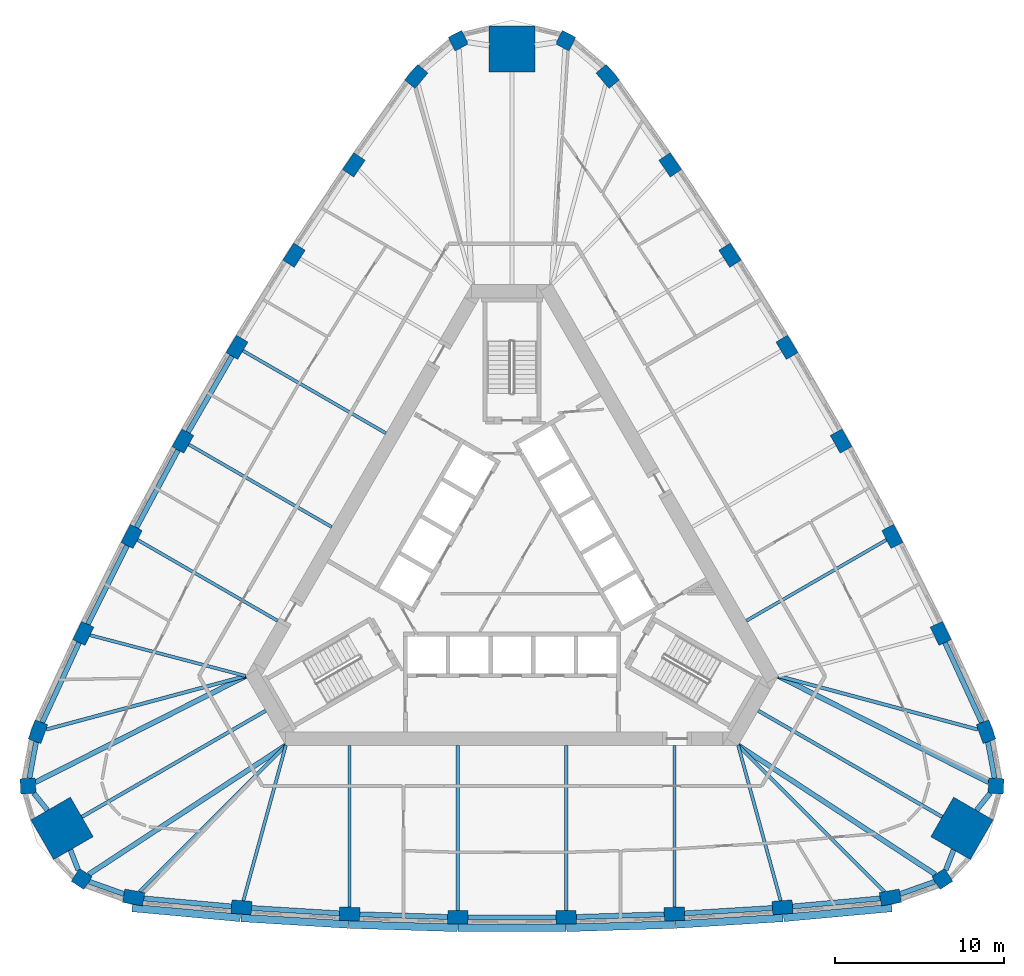
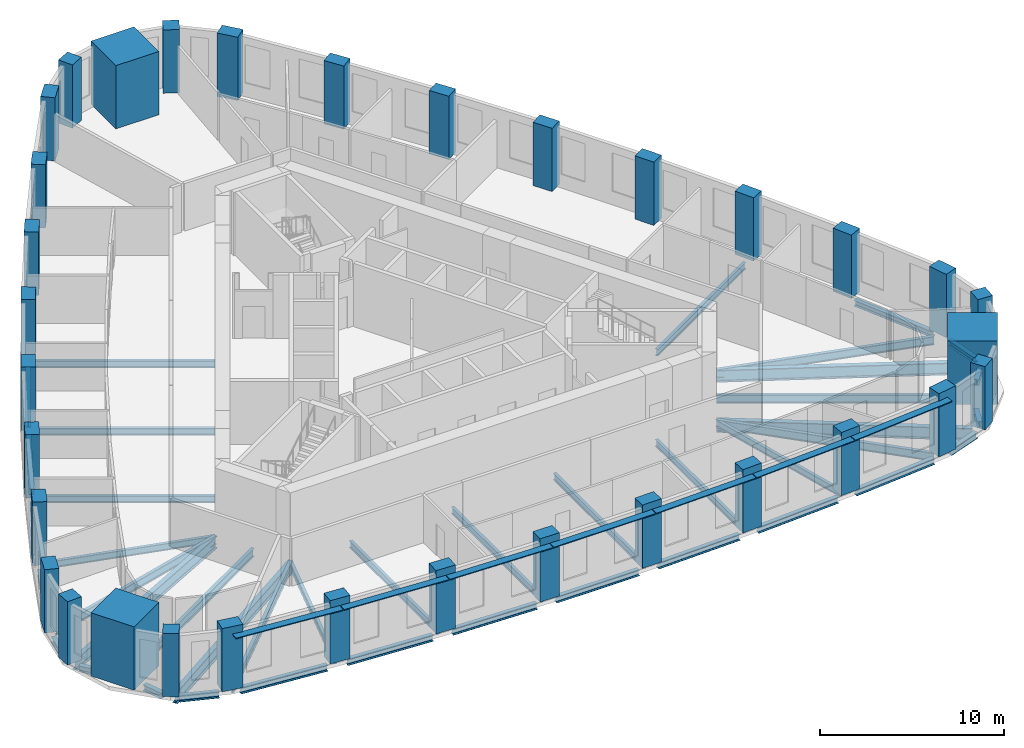
# One storey, part 1 of 11: 41 beams, 33 columns, 7 members.
"""IFC4 building model written with IfcOpenShell, lengths in metres."""

from ifc_helpers import new_model, si_unit, direction, frame, origin, origin_2d, place, context, subcontext, project, spatial, rectangle, i_section, extrude, material, material_profile, profile_set, type_object, element, save


model = new_model("IFC4")

# Units and contexts
model_context = context("Model", 3, precision=1e-05, world=origin(), true_north=direction((0.0, 1.0)))
body_context = subcontext(model_context, "Body", "Model", "MODEL_VIEW")
ifc_project = project(units=[si_unit("LENGTHUNIT", "METRE"), si_unit("AREAUNIT", "SQUARE_METRE"), si_unit("VOLUMEUNIT", "CUBIC_METRE"), si_unit("PLANEANGLEUNIT", "RADIAN"), si_unit("MASSUNIT", "GRAM", prefix="KILO")], contexts=[model_context])

# Site, building, storey
site_placement = place(None, origin())
site = spatial("IfcSite", under=ifc_project, at=site_placement, CompositionType="ELEMENT")
building_placement = place(site_placement, origin())
building = spatial("IfcBuilding", under=site, at=building_placement, Name="Mestral Congress Tower", CompositionType="ELEMENT")
storey_placement = place(building_placement, frame((0.0, 0.0, 171.0)))
storey = spatial("IfcBuildingStorey", under=building, at=storey_placement, Name="L40", CompositionType="ELEMENT", Elevation=171.0)

# Columns
ifc_material_1 = material(Name="Concrete C60/75", Category="concrete")
ifc_material_profile_1 = material_profile(ifc_material_1, rectangle(XDim=1.199951171875, YDim=0.800048828125, at=origin_2d()), Name="RC 1200x800")
ifc_profile_set_1 = profile_set([ifc_material_profile_1], Name="Concrete C60/75")
column_type_1 = type_object("IfcColumnType", Name="Column RC 1200x800 C60/75", PredefinedType="COLUMN", material=ifc_profile_set_1)
for number, where, z_axis, x_axis, name in (
    (1, (-22.357421875, -19.437255859375, 0.0), (0.0, 0.0, 1.0), (0.984571054206, -0.17498525429, 0.0), "COL-L40-C3-S00"),
    (2, (-15.984619140625, -20.0224609375, 0.0), (0.0, 0.0, 1.0), (0.997089725995, -0.076236987842, 0.0), "COL-L40-C3-S01"),
    (3, (-9.5966796875, -20.412841796875, 0.0), (0.0, 0.0, 1.0), (0.998951959915, -0.045770970953, 0.0), "COL-L40-C3-S02"),
    (4, (-3.199951171875, -20.608154296875, 0.0), (0.0, 0.0, 1.0), (0.999883524137, -0.015262311717, 0.0), "COL-L40-C3-S03"),
    (5, (3.199951171875, -20.608154296875, 0.0), (0.0, 0.0, 1.0), (0.999883524137, 0.015262311717, 0.0), "COL-L40-C3-S04"),
    (6, (9.5966796875, -20.412841796875, 0.0), (0.0, 0.0, 1.0), (0.998951959915, 0.045770970953, 0.0), "COL-L40-C3-S05"),
    (7, (15.984619140625, -20.0224609375, 0.0), (0.0, 0.0, 1.0), (0.997089725995, 0.076236987842, 0.0), "COL-L40-C3-S06"),
    (8, (22.357421875, -19.437255859375, 0.0), (0.0, 0.0, 1.0), (0.984571054206, 0.17498525429, 0.0), "COL-L40-C3-S07"),
    (9, (28.01171875, -9.6435546875, 0.0), (0.0, 0.0, 1.0), (-0.340743851601, 0.940156171918, 0.0), "COL-L40-C3-E00"),
    (10, (25.332275390625, -3.831787109375, 0.0), (0.0, 0.0, 1.0), (-0.432521694818, 0.901623526485, 0.0), "COL-L40-C3-E01"),
    (11, (22.476318359375, 1.8955078125, 0.0), (0.0, 0.0, 1.0), (-0.459837156356, 0.888003259923, 0.0), "COL-L40-C3-E02"),
    (12, (19.447265625, 7.532958984375, 0.0), (0.0, 0.0, 1.0), (-0.486724212401, 0.873555688587, 0.0), "COL-L40-C3-E03"),
    (13, (16.247314453125, 13.0751953125, 0.0), (0.0, 0.0, 1.0), (-0.513159311736, 0.85829337687, 0.0), "COL-L40-C3-E04"),
    (14, (12.8798828125, 18.517333984375, 0.0), (0.0, 0.0, 1.0), (-0.539114803559, 0.84223228897, 0.0), "COL-L40-C3-E05"),
    (15, (9.34765625, 23.854248046875, 0.0), (0.0, 0.0, 1.0), (-0.564568031177, 0.825386538643, 0.0), "COL-L40-C3-E06"),
    (16, (5.654296875, 29.080810546875, 0.0), (0.0, 0.0, 1.0), (-0.643827202606, 0.765170917629, 0.0), "COL-L40-C3-E07"),
    (17, (-5.654296875, 29.080810546875, 0.0), (0.0, 0.0, 1.0), (-0.643827202606, -0.765170917629, 0.0), "COL-L40-C3-W00"),
    (18, (-9.34765625, 23.854248046875, 0.0), (0.0, 0.0, 1.0), (-0.564568031177, -0.825386538643, 0.0), "COL-L40-C3-W01"),
    (19, (-12.8798828125, 18.517333984375, 0.0), (0.0, 0.0, 1.0), (-0.539114803559, -0.84223228897, 0.0), "COL-L40-C3-W02"),
    (20, (-16.247314453125, 13.0751953125, 0.0), (0.0, 0.0, 1.0), (-0.513159311736, -0.85829337687, 0.0), "COL-L40-C3-W03"),
    (21, (-19.447265625, 7.532958984375, 0.0), (0.0, 0.0, 1.0), (-0.486724212401, -0.873555688587, 0.0), "COL-L40-C3-W04"),
    (22, (-22.476318359375, 1.8955078125, 0.0), (0.0, 0.0, 1.0), (-0.459837156356, -0.888003259923, 0.0), "COL-L40-C3-W05"),
    (23, (-25.332275390625, -3.831787109375, 0.0), (0.0, 0.0, 1.0), (-0.432521694818, -0.901623526485, 0.0), "COL-L40-C3-W06"),
    (24, (-28.01171875, -9.6435546875, 0.0), (0.0, 0.0, 1.0), (-0.340743851601, -0.940156171918, 0.0), "COL-L40-C3-W07"),
):
    element("IfcColumn", number, at=place(storey_placement, frame(where, z_axis=z_axis, x_axis=x_axis)), inside=storey, type_object=column_type_1, Name=name, PredefinedType="COLUMN", context=body_context, shape_type="SweptSolid", body=[
        extrude(rectangle(XDim=1.199951171875, YDim=0.800048828125, at=origin_2d()), origin(), (0.0, 0.0, 1.0), 4.199951171875),
    ])
ifc_material_profile_2 = material_profile(ifc_material_1, rectangle(XDim=0.89990234375, YDim=0.89990234375, at=origin_2d()), Name="RC 900x900")
ifc_profile_set_2 = profile_set([ifc_material_profile_2], Name="Concrete C60/75")
column_type_2 = type_object("IfcColumnType", Name="Column RC 900x900 C60/75", PredefinedType="COLUMN", material=ifc_profile_set_2)
for number, where, z_axis, x_axis, name in (
    (25, (25.4296875, -18.34375, 0.0), (0.0, 0.0, 1.0), (0.838094050847, 0.545525766518, 0.0), "COL-L40-C3-SE1"),
    (26, (28.60107421875, -12.850830078125, 0.0), (0.0, 0.0, 1.0), (0.0533921468, 0.998573622053, 0.0), "COL-L40-C3-SE3"),
    (27, (3.17138671875, 31.194580078125, 0.0), (0.0, 0.0, 1.0), (-0.891486197647, 0.453047855535, 0.0), "COL-L40-C3-N1"),
    (28, (-3.17138671875, 31.194580078125, 0.0), (0.0, 0.0, 1.0), (-0.891486197647, -0.453047855535, 0.0), "COL-L40-C3-N3"),
    (29, (-28.60107421875, -12.850830078125, 0.0), (0.0, 0.0, 1.0), (0.0533921468, -0.998573622053, 0.0), "COL-L40-C3-SW1"),
    (30, (-25.4296875, -18.34375, 0.0), (0.0, 0.0, 1.0), (0.838094050847, -0.545525766518, 0.0), "COL-L40-C3-SW3"),
):
    element("IfcColumn", number, at=place(storey_placement, frame(where, z_axis=z_axis, x_axis=x_axis)), inside=storey, type_object=column_type_2, Name=name, PredefinedType="COLUMN", context=body_context, shape_type="SweptSolid", body=[
        extrude(rectangle(XDim=0.89990234375, YDim=0.89990234375, at=origin_2d()), origin(), (0.0, 0.0, 1.0), 4.199951171875),
    ])
ifc_material_2 = material(Name="Concrete C70/85", Category="concrete")
ifc_material_profile_3 = material_profile(ifc_material_2, rectangle(XDim=2.699951171875, YDim=2.699951171875, at=origin_2d()), Name="RC 2700x2700")
ifc_profile_set_3 = profile_set([ifc_material_profile_3], Name="Concrete C70/85")
column_type_3 = type_object("IfcColumnType", Name="Mega column RC 2700x2700 C70/85", PredefinedType="COLUMN", material=ifc_profile_set_3)
for number, where, z_axis, x_axis, name in (
    (31, (26.590576171875, -15.35205078125, 0.0), (0.0, 0.0, 1.0), (0.866025403784, -0.5, 0.0), "COL-L40-PY3-SE"),
    (32, (0.0, 30.7041015625, 0.0), (0.0, 0.0, 1.0), (0.0, 1.0, 0.0), "COL-L40-PY3-N"),
    (33, (-26.590576171875, -15.35205078125, 0.0), (0.0, 0.0, 1.0), (-0.866025403784, -0.5, 0.0), "COL-L40-PY3-SW"),
):
    element("IfcColumn", number, at=place(storey_placement, frame(where, z_axis=z_axis, x_axis=x_axis)), inside=storey, type_object=column_type_3, Name=name, PredefinedType="COLUMN", context=body_context, shape_type="SweptSolid", body=[
        extrude(rectangle(XDim=2.699951171875, YDim=2.699951171875, at=origin_2d()), origin(), (0.0, 0.0, 1.0), 4.199951171875),
    ])

# Members
ifc_material_3 = material(Name="Glazed ceramic", Category="masonry")
ifc_material_profile_4 = material_profile(ifc_material_3, rectangle(XDim=0.449951171875, YDim=0.06005859375, at=origin_2d()), Name="Ceramic blade 450 x 60")
ifc_profile_set_4 = profile_set([ifc_material_profile_4], Name="Glazed ceramic")
member_type = type_object("IfcMemberType", Name="Facade sunshade blade 450 x 60", PredefinedType="USERDEFINED", material=ifc_profile_set_4)
member_1_placement = place(storey_placement, frame((-22.451171875, -20.05615234375, 3.679931640625), z_axis=(0.995809919347, -0.091447277326, 0.0), x_axis=(0.091447277326, 0.995809919347, 0.0)))
element("IfcMember", 34, at=member_1_placement, inside=storey, type_object=member_type, Name="Sunshade F0-00", ObjectType="SUNSHADE", PredefinedType="USERDEFINED", context=body_context, shape_type="SweptSolid", body=[
    extrude(rectangle(XDim=0.449951171875, YDim=0.06005859375, at=origin_2d()), origin(), (0.0, 0.0, 1.0), 6.42333984375),
])
member_2_placement = place(storey_placement, frame((-16.009521484375, -20.647216796875, 3.679931640625), z_axis=(0.998138940399, -0.06098078107, 0.0), x_axis=(0.06098078107, 0.998138940399, 0.0)))
element("IfcMember", 35, at=member_2_placement, inside=storey, type_object=member_type, Name="Sunshade F0-01", ObjectType="SUNSHADE", PredefinedType="USERDEFINED", context=body_context, shape_type="SweptSolid", body=[
    extrude(rectangle(XDim=0.449951171875, YDim=0.06005859375, at=origin_2d()), origin(), (0.0, 0.0, 1.0), 6.373779296875),
])
for number, where, z_axis, x_axis, name in (
    (36, (-9.6025390625, -21.0380859375, 3.679931640625), (0.999535044007, -0.03049091343, 0.0), (0.03049091343, 0.999535044007, 0.0), "Sunshade F0-02"),
    (37, (-3.186767578125, -21.233154296875, 3.679931640625), (1.0, 0.0, 0.0), (0.0, 1.0, 0.0), "Sunshade F0-03"),
    (38, (3.23193359375, -21.232421875, 3.679931640625), (0.999535044007, 0.03049091343, 0.0), (-0.03049091343, 0.999535044007, 0.0), "Sunshade F0-04"),
):
    element("IfcMember", number, at=place(storey_placement, frame(where, z_axis=z_axis, x_axis=x_axis)), inside=storey, type_object=member_type, Name=name, ObjectType="SUNSHADE", PredefinedType="USERDEFINED", context=body_context, shape_type="SweptSolid", body=[
        extrude(rectangle(XDim=0.449951171875, YDim=0.06005859375, at=origin_2d()), origin(), (0.0, 0.0, 1.0), 6.37353515625),
    ])
member_3_placement = place(storey_placement, frame((9.647705078125, -21.035888671875, 3.679931640625), z_axis=(0.998138940399, 0.06098078107, 0.0), x_axis=(-0.06098078107, 0.998138940399, 0.0)))
element("IfcMember", 39, at=member_3_placement, inside=storey, type_object=member_type, Name="Sunshade F0-05", ObjectType="SUNSHADE", PredefinedType="USERDEFINED", context=body_context, shape_type="SweptSolid", body=[
    extrude(rectangle(XDim=0.449951171875, YDim=0.06005859375, at=origin_2d()), origin(), (0.0, 0.0, 1.0), 6.373779296875),
])
member_4_placement = place(storey_placement, frame((16.0546875, -20.6435546875, 3.679931640625), z_axis=(0.995809919347, 0.091447277326, 0.0), x_axis=(-0.091447277326, 0.995809919347, 0.0)))
element("IfcMember", 40, at=member_4_placement, inside=storey, type_object=member_type, Name="Sunshade F0-06", ObjectType="SUNSHADE", PredefinedType="USERDEFINED", context=body_context, shape_type="SweptSolid", body=[
    extrude(rectangle(XDim=0.449951171875, YDim=0.06005859375, at=origin_2d()), origin(), (0.0, 0.0, 1.0), 6.42333984375),
])

# Beams
ifc_material_4 = material(Name="Steel S355", Category="steel")
ifc_material_profile_5 = material_profile(ifc_material_4, i_section(OverallWidth=0.300048828125, OverallDepth=0.800048828125, WebThickness=0.017578125, FlangeThickness=0.032958984375, FilletRadius=0.030029296875, at=origin_2d()), Name="HEB 800")
ifc_profile_set_5 = profile_set([ifc_material_profile_5], Name="Steel S355")
beam_type_1 = type_object("IfcBeamType", Name="Floor beam HEB 800 S355", PredefinedType="BEAM", material=ifc_profile_set_5)
beam_1_placement = place(storey_placement, frame((25.018310546875, -18.07470703125, -0.64990234375), z_axis=(-0.836780237492, 0.547538888247, 0.0), x_axis=(-0.547538888247, -0.836780237492, 0.0)))
element("IfcBeam", 41, at=beam_1_placement, inside=storey, type_object=beam_type_1, Name="BM-L40-RB3-SE1", PredefinedType="BEAM", context=body_context, shape_type="SweptSolid", body=[
    extrude(i_section(OverallWidth=0.300048828125, OverallDepth=0.800048828125, WebThickness=0.017578125, FlangeThickness=0.032958984375, FilletRadius=0.030029296875, at=origin_2d()), origin(), (0.0, 0.0, 1.0), 13.925537109375),
])
for number, where, z_axis, x_axis, name in (
    (42, (28.162109375, -12.629150390625, -0.64990234375), (-0.892568118133, 0.450912579656, 0.0), (-0.450912579656, -0.892568118133, 0.0), "BM-L40-RB3-SE3"),
    (43, (-28.162109375, -12.629150390625, -0.64990234375), (0.892568118133, 0.450912579656, 0.0), (-0.450912579656, 0.892568118133, 0.0), "BM-L40-RB3-SW1"),
):
    element("IfcBeam", number, at=place(storey_placement, frame(where, z_axis=z_axis, x_axis=x_axis)), inside=storey, type_object=beam_type_1, Name=name, PredefinedType="BEAM", context=body_context, shape_type="SweptSolid", body=[
        extrude(i_section(OverallWidth=0.300048828125, OverallDepth=0.800048828125, WebThickness=0.017578125, FlangeThickness=0.032958984375, FilletRadius=0.030029296875, at=origin_2d()), origin(), (0.0, 0.0, 1.0), 13.92529296875),
    ])
beam_2_placement = place(storey_placement, frame((-25.018310546875, -18.07470703125, -0.64990234375), z_axis=(0.836780237492, 0.547538888247, 0.0), x_axis=(-0.547538888247, 0.836780237492, 0.0)))
element("IfcBeam", 44, at=beam_2_placement, inside=storey, type_object=beam_type_1, Name="BM-L40-RB3-SW3", PredefinedType="BEAM", context=body_context, shape_type="SweptSolid", body=[
    extrude(i_section(OverallWidth=0.300048828125, OverallDepth=0.800048828125, WebThickness=0.017578125, FlangeThickness=0.032958984375, FilletRadius=0.030029296875, at=origin_2d()), origin(), (0.0, 0.0, 1.0), 13.925537109375),
])
ifc_material_profile_6 = material_profile(ifc_material_4, i_section(OverallWidth=0.18994140625, OverallDepth=0.449951171875, WebThickness=0.009521484375, FlangeThickness=0.0146484375, FilletRadius=0.02099609375, at=origin_2d()), Name="IPE 450")
ifc_profile_set_6 = profile_set([ifc_material_profile_6], Name="Steel S355")
beam_type_2 = type_object("IfcBeamType", Name="Floor beam IPE 450 S355", PredefinedType="BEAM", material=ifc_profile_set_6)
beam_3_placement = place(storey_placement, frame((-15.876953125, -19.62939453125, -0.47509765625), z_axis=(0.263874900873, 0.964556912105, 0.0), x_axis=(-0.964556912105, 0.263874900873, 0.0)))
element("IfcBeam", 45, at=beam_3_placement, inside=storey, type_object=beam_type_2, Name="BM-L40-RB3-S01", PredefinedType="BEAM", context=body_context, shape_type="SweptSolid", body=[
    extrude(i_section(OverallWidth=0.18994140625, OverallDepth=0.449951171875, WebThickness=0.009521484375, FlangeThickness=0.0146484375, FilletRadius=0.02099609375, at=origin_2d()), origin(), (0.0, 0.0, 1.0), 9.516845703125),
])
beam_4_placement = place(storey_placement, frame((-9.5966796875, -20.012451171875, -0.47509765625), z_axis=(0.0, 1.0, 0.0), x_axis=(-1.0, 0.0, 0.0)))
element("IfcBeam", 46, at=beam_4_placement, inside=storey, type_object=beam_type_2, Name="BM-L40-RB3-S02", PredefinedType="BEAM", context=body_context, shape_type="SweptSolid", body=[
    extrude(i_section(OverallWidth=0.18994140625, OverallDepth=0.449951171875, WebThickness=0.009521484375, FlangeThickness=0.0146484375, FilletRadius=0.02099609375, at=origin_2d()), origin(), (0.0, 0.0, 1.0), 9.5625),
])
for number, where, z_axis, x_axis, name in (
    (47, (-3.199951171875, -20.208251953125, -0.47509765625), (0.0, 1.0, 0.0), (-1.0, 0.0, 0.0), "BM-L40-RB3-S03"),
    (48, (3.199951171875, -20.208251953125, -0.47509765625), (0.0, 1.0, 0.0), (-1.0, 0.0, 0.0), "BM-L40-RB3-S04"),
):
    element("IfcBeam", number, at=place(storey_placement, frame(where, z_axis=z_axis, x_axis=x_axis)), inside=storey, type_object=beam_type_2, Name=name, PredefinedType="BEAM", context=body_context, shape_type="SweptSolid", body=[
        extrude(i_section(OverallWidth=0.18994140625, OverallDepth=0.449951171875, WebThickness=0.009521484375, FlangeThickness=0.0146484375, FilletRadius=0.02099609375, at=origin_2d()), origin(), (0.0, 0.0, 1.0), 9.75830078125),
    ])
beam_5_placement = place(storey_placement, frame((9.5966796875, -20.012451171875, -0.47509765625), z_axis=(0.0, 1.0, 0.0), x_axis=(-1.0, 0.0, 0.0)))
element("IfcBeam", 49, at=beam_5_placement, inside=storey, type_object=beam_type_2, Name="BM-L40-RB3-S05", PredefinedType="BEAM", context=body_context, shape_type="SweptSolid", body=[
    extrude(i_section(OverallWidth=0.18994140625, OverallDepth=0.449951171875, WebThickness=0.009521484375, FlangeThickness=0.0146484375, FilletRadius=0.02099609375, at=origin_2d()), origin(), (0.0, 0.0, 1.0), 9.5625),
])
beam_6_placement = place(storey_placement, frame((15.876953125, -19.62939453125, -0.47509765625), z_axis=(-0.263874900873, 0.964556912105, 0.0), x_axis=(-0.964556912105, -0.263874900873, 0.0)))
element("IfcBeam", 50, at=beam_6_placement, inside=storey, type_object=beam_type_2, Name="BM-L40-RB3-S06", PredefinedType="BEAM", context=body_context, shape_type="SweptSolid", body=[
    extrude(i_section(OverallWidth=0.18994140625, OverallDepth=0.449951171875, WebThickness=0.009521484375, FlangeThickness=0.0146484375, FilletRadius=0.02099609375, at=origin_2d()), origin(), (0.0, 0.0, 1.0), 9.516845703125),
])
beam_7_placement = place(storey_placement, frame((22.129638671875, 1.6953125, -0.47509765625), z_axis=(-0.866022320763, -0.500005339912, 0.0), x_axis=(0.500005339912, -0.866022320763, 0.0)))
element("IfcBeam", 51, at=beam_7_placement, inside=storey, type_object=beam_type_2, Name="BM-L40-RB3-E02", PredefinedType="BEAM", context=body_context, shape_type="SweptSolid", body=[
    extrude(i_section(OverallWidth=0.18994140625, OverallDepth=0.449951171875, WebThickness=0.009521484375, FlangeThickness=0.0146484375, FilletRadius=0.02099609375, at=origin_2d()), origin(), (0.0, 0.0, 1.0), 9.5625),
])
beam_8_placement = place(storey_placement, frame((-15.90087890625, 12.875244140625, -0.47509765625), z_axis=(0.866025182435, -0.500000383388, 0.0), x_axis=(0.500000383388, 0.866025182435, 0.0)))
element("IfcBeam", 52, at=beam_8_placement, inside=storey, type_object=beam_type_2, Name="BM-L40-RB3-W03", PredefinedType="BEAM", context=body_context, shape_type="SweptSolid", body=[
    extrude(i_section(OverallWidth=0.18994140625, OverallDepth=0.449951171875, WebThickness=0.009521484375, FlangeThickness=0.0146484375, FilletRadius=0.02099609375, at=origin_2d()), origin(), (0.0, 0.0, 1.0), 9.75830078125),
])
beam_9_placement = place(storey_placement, frame((-19.100830078125, 7.332763671875, -0.47509765625), z_axis=(0.866036015824, -0.499981618958, 0.0), x_axis=(0.499981618958, 0.866036015824, 0.0)))
element("IfcBeam", 53, at=beam_9_placement, inside=storey, type_object=beam_type_2, Name="BM-L40-RB3-W04", PredefinedType="BEAM", context=body_context, shape_type="SweptSolid", body=[
    extrude(i_section(OverallWidth=0.18994140625, OverallDepth=0.449951171875, WebThickness=0.009521484375, FlangeThickness=0.0146484375, FilletRadius=0.02099609375, at=origin_2d()), origin(), (0.0, 0.0, 1.0), 9.758056640625),
])
beam_10_placement = place(storey_placement, frame((-22.129638671875, 1.6953125, -0.47509765625), z_axis=(0.866022320763, -0.500005339912, 0.0), x_axis=(0.500005339912, 0.866022320763, 0.0)))
element("IfcBeam", 54, at=beam_10_placement, inside=storey, type_object=beam_type_2, Name="BM-L40-RB3-W05", PredefinedType="BEAM", context=body_context, shape_type="SweptSolid", body=[
    extrude(i_section(OverallWidth=0.18994140625, OverallDepth=0.449951171875, WebThickness=0.009521484375, FlangeThickness=0.0146484375, FilletRadius=0.02099609375, at=origin_2d()), origin(), (0.0, 0.0, 1.0), 9.5625),
])
beam_11_placement = place(storey_placement, frame((-24.938232421875, -3.93505859375, -0.47509765625), z_axis=(0.967265999603, -0.253764627187, 0.0), x_axis=(0.253764627187, 0.967265999603, 0.0)))
element("IfcBeam", 55, at=beam_11_placement, inside=storey, type_object=beam_type_2, Name="BM-L40-RB3-W06", PredefinedType="BEAM", context=body_context, shape_type="SweptSolid", body=[
    extrude(i_section(OverallWidth=0.18994140625, OverallDepth=0.449951171875, WebThickness=0.009521484375, FlangeThickness=0.0146484375, FilletRadius=0.02099609375, at=origin_2d()), origin(), (0.0, 0.0, 1.0), 9.516845703125),
])
ifc_material_profile_7 = material_profile(ifc_material_4, i_section(OverallWidth=0.2099609375, OverallDepth=0.550048828125, WebThickness=0.010986328125, FlangeThickness=0.01708984375, FilletRadius=0.02392578125, at=origin_2d()), Name="IPE 550")
ifc_profile_set_7 = profile_set([ifc_material_profile_7], Name="Steel S355")
beam_type_3 = type_object("IfcBeamType", Name="Floor beam IPE 550 S355", PredefinedType="BEAM", material=ifc_profile_set_7)
for number, where, z_axis, x_axis, name in (
    (56, (-22.01220703125, -19.09228515625, -0.52490234375), (0.707276510369, 0.706937011254, 0.0), (-0.706937011254, 0.707276510369, 0.0), "BM-L40-RB3-S00"),
    (57, (22.01220703125, -19.09228515625, -0.52490234375), (-0.707276510369, 0.706937011254, 0.0), (-0.706937011254, -0.707276510369, 0.0), "BM-L40-RB3-S07"),
):
    element("IfcBeam", number, at=place(storey_placement, frame(where, z_axis=z_axis, x_axis=x_axis)), inside=storey, type_object=beam_type_3, Name=name, PredefinedType="BEAM", context=body_context, shape_type="SweptSolid", body=[
        extrude(i_section(OverallWidth=0.2099609375, OverallDepth=0.550048828125, WebThickness=0.010986328125, FlangeThickness=0.01708984375, FilletRadius=0.02392578125, at=origin_2d()), origin(), (0.0, 0.0, 1.0), 12.22509765625),
    ])
beam_12_placement = place(storey_placement, frame((25.42138671875, -14.677001953125, -0.52490234375), z_axis=(-0.866034999462, 0.49998337943, 0.0), x_axis=(-0.49998337943, -0.866034999462, 0.0)))
element("IfcBeam", 58, at=beam_12_placement, inside=storey, type_object=beam_type_3, Name="BM-L40-RB3-SE", PredefinedType="BEAM", context=body_context, shape_type="SweptSolid", body=[
    extrude(i_section(OverallWidth=0.2099609375, OverallDepth=0.550048828125, WebThickness=0.010986328125, FlangeThickness=0.01708984375, FilletRadius=0.02392578125, at=origin_2d()), origin(), (0.0, 0.0, 1.0), 12.55419921875),
])
for number, where, z_axis, x_axis, name in (
    (59, (27.54052734375, -9.51708984375, -0.52490234375), (-0.965861364708, 0.259059499276, 0.0), (-0.259059499276, -0.965861364708, 0.0), "BM-L40-RB3-E00"),
    (60, (-27.54052734375, -9.51708984375, -0.52490234375), (0.965861364708, 0.259059499276, 0.0), (-0.259059499276, 0.965861364708, 0.0), "BM-L40-RB3-W07"),
):
    element("IfcBeam", number, at=place(storey_placement, frame(where, z_axis=z_axis, x_axis=x_axis)), inside=storey, type_object=beam_type_3, Name=name, PredefinedType="BEAM", context=body_context, shape_type="SweptSolid", body=[
        extrude(i_section(OverallWidth=0.2099609375, OverallDepth=0.550048828125, WebThickness=0.010986328125, FlangeThickness=0.01708984375, FilletRadius=0.02392578125, at=origin_2d()), origin(), (0.0, 0.0, 1.0), 12.224853515625),
    ])
beam_13_placement = place(storey_placement, frame((-25.42138671875, -14.677001953125, -0.52490234375), z_axis=(0.866034999462, 0.49998337943, 0.0), x_axis=(-0.49998337943, 0.866034999462, 0.0)))
element("IfcBeam", 61, at=beam_13_placement, inside=storey, type_object=beam_type_3, Name="BM-L40-RB3-SW", PredefinedType="BEAM", context=body_context, shape_type="SweptSolid", body=[
    extrude(i_section(OverallWidth=0.2099609375, OverallDepth=0.550048828125, WebThickness=0.010986328125, FlangeThickness=0.01708984375, FilletRadius=0.02392578125, at=origin_2d()), origin(), (0.0, 0.0, 1.0), 12.55419921875),
])
ifc_material_profile_8 = material_profile(ifc_material_4, i_section(OverallWidth=0.300048828125, OverallDepth=0.389892578125, WebThickness=0.010986328125, FlangeThickness=0.01904296875, FilletRadius=0.027099609375, at=origin_2d()), Name="HEA 400")
ifc_profile_set_8 = profile_set([ifc_material_profile_8], Name="Steel S355")
beam_type_4 = type_object("IfcBeamType", Name="Spandrel beam HEA 400 S355", PredefinedType="BEAM", material=ifc_profile_set_8)
beam_14_placement = place(storey_placement, frame((-21.7578125, -19.4921875, -0.445068359375), z_axis=(0.995809233617, -0.091454744238, 0.0), x_axis=(0.091454744238, 0.995809233617, 0.0)))
element("IfcBeam", 62, at=beam_14_placement, inside=storey, type_object=beam_type_4, Name="SP-L40-SB3-S00", PredefinedType="BEAM", context=body_context, shape_type="SweptSolid", body=[
    extrude(i_section(OverallWidth=0.300048828125, OverallDepth=0.389892578125, WebThickness=0.010986328125, FlangeThickness=0.01904296875, FilletRadius=0.027099609375, at=origin_2d()), origin(), (0.0, 0.0, 1.0), 5.197509765625),
])
beam_15_placement = place(storey_placement, frame((-15.385498046875, -20.05908203125, -0.445068359375), z_axis=(0.998138215809, -0.060992640057, 0.0), x_axis=(0.060992640057, 0.998138215809, 0.0)))
element("IfcBeam", 63, at=beam_15_placement, inside=storey, type_object=beam_type_4, Name="SP-L40-SB3-S01", PredefinedType="BEAM", context=body_context, shape_type="SweptSolid", body=[
    extrude(i_section(OverallWidth=0.300048828125, OverallDepth=0.389892578125, WebThickness=0.010986328125, FlangeThickness=0.01904296875, FilletRadius=0.027099609375, at=origin_2d()), origin(), (0.0, 0.0, 1.0), 5.19970703125),
])
beam_16_placement = place(storey_placement, frame((-8.996826171875, -20.43115234375, -0.445068359375), z_axis=(0.999534130554, -0.030520842996, 0.0), x_axis=(0.030520842996, 0.999534130554, 0.0)))
element("IfcBeam", 64, at=beam_16_placement, inside=storey, type_object=beam_type_4, Name="SP-L40-SB3-S02", PredefinedType="BEAM", context=body_context, shape_type="SweptSolid", body=[
    extrude(i_section(OverallWidth=0.300048828125, OverallDepth=0.389892578125, WebThickness=0.010986328125, FlangeThickness=0.01904296875, FilletRadius=0.027099609375, at=origin_2d()), origin(), (0.0, 0.0, 1.0), 5.199462890625),
])
beam_17_placement = place(storey_placement, frame((-2.599853515625, -20.608154296875, -0.445068359375), z_axis=(1.0, 0.0, 0.0), x_axis=(0.0, 1.0, 0.0)))
element("IfcBeam", 65, at=beam_17_placement, inside=storey, type_object=beam_type_4, Name="SP-L40-SB3-S03", PredefinedType="BEAM", context=body_context, shape_type="SweptSolid", body=[
    extrude(i_section(OverallWidth=0.300048828125, OverallDepth=0.389892578125, WebThickness=0.010986328125, FlangeThickness=0.01904296875, FilletRadius=0.027099609375, at=origin_2d()), origin(), (0.0, 0.0, 1.0), 5.19970703125),
])
beam_18_placement = place(storey_placement, frame((3.7998046875, -20.58984375, -0.445068359375), z_axis=(0.999534130554, 0.030520842996, 0.0), x_axis=(-0.030520842996, 0.999534130554, 0.0)))
element("IfcBeam", 66, at=beam_18_placement, inside=storey, type_object=beam_type_4, Name="SP-L40-SB3-S04", PredefinedType="BEAM", context=body_context, shape_type="SweptSolid", body=[
    extrude(i_section(OverallWidth=0.300048828125, OverallDepth=0.389892578125, WebThickness=0.010986328125, FlangeThickness=0.01904296875, FilletRadius=0.027099609375, at=origin_2d()), origin(), (0.0, 0.0, 1.0), 5.199462890625),
])
beam_19_placement = place(storey_placement, frame((10.195556640625, -20.376220703125, -0.445068359375), z_axis=(0.998138215809, 0.060992640057, 0.0), x_axis=(-0.060992640057, 0.998138215809, 0.0)))
element("IfcBeam", 67, at=beam_19_placement, inside=storey, type_object=beam_type_4, Name="SP-L40-SB3-S05", PredefinedType="BEAM", context=body_context, shape_type="SweptSolid", body=[
    extrude(i_section(OverallWidth=0.300048828125, OverallDepth=0.389892578125, WebThickness=0.010986328125, FlangeThickness=0.01904296875, FilletRadius=0.027099609375, at=origin_2d()), origin(), (0.0, 0.0, 1.0), 5.19970703125),
])
beam_20_placement = place(storey_placement, frame((16.58203125, -19.967529296875, -0.445068359375), z_axis=(0.995809233617, 0.091454744238, 0.0), x_axis=(-0.091454744238, 0.995809233617, 0.0)))
element("IfcBeam", 68, at=beam_20_placement, inside=storey, type_object=beam_type_4, Name="SP-L40-SB3-S06", PredefinedType="BEAM", context=body_context, shape_type="SweptSolid", body=[
    extrude(i_section(OverallWidth=0.300048828125, OverallDepth=0.389892578125, WebThickness=0.010986328125, FlangeThickness=0.01904296875, FilletRadius=0.027099609375, at=origin_2d()), origin(), (0.0, 0.0, 1.0), 5.197509765625),
])
beam_21_placement = place(storey_placement, frame((22.9306640625, -19.233154296875, -0.445068359375), z_axis=(0.942124718118, 0.33526260679, 0.0), x_axis=(-0.33526260679, 0.942124718118, 0.0)))
element("IfcBeam", 69, at=beam_21_placement, inside=storey, type_object=beam_type_4, Name="SP-L40-SB3-S07", PredefinedType="BEAM", context=body_context, shape_type="SweptSolid", body=[
    extrude(i_section(OverallWidth=0.300048828125, OverallDepth=0.389892578125, WebThickness=0.010986328125, FlangeThickness=0.01904296875, FilletRadius=0.027099609375, at=origin_2d()), origin(), (0.0, 0.0, 1.0), 2.189697265625),
])
for number, where, z_axis, x_axis, name in (
    (70, (25.630126953125, -17.826904296875, -0.445068359375), (0.361897583915, 0.932217860136, 0.0), (-0.932217860136, 0.361897583915, 0.0), "SP-L40-SB3-SE1"),
    (71, (27.446533203125, -14.287353515625, -0.445068359375), (0.626403443736, 0.779499022242, 0.0), (-0.779499022242, 0.626403443736, 0.0), "SP-L40-SB3-SE"),
):
    element("IfcBeam", number, at=place(storey_placement, frame(where, z_axis=z_axis, x_axis=x_axis)), inside=storey, type_object=beam_type_4, Name=name, PredefinedType="BEAM", context=body_context, shape_type="SweptSolid", body=[
        extrude(i_section(OverallWidth=0.300048828125, OverallDepth=0.389892578125, WebThickness=0.010986328125, FlangeThickness=0.01904296875, FilletRadius=0.027099609375, at=origin_2d()), origin(), (0.0, 0.0, 1.0), 1.28857421875),
    ])
beam_22_placement = place(storey_placement, frame((28.517333984375, -12.395751953125, -0.445068359375), z_axis=(-0.18061190167, 0.983554442304, 0.0), x_axis=(-0.983554442304, -0.18061190167, 0.0)))
element("IfcBeam", 72, at=beam_22_placement, inside=storey, type_object=beam_type_4, Name="SP-L40-SB3-SE3", PredefinedType="BEAM", context=body_context, shape_type="SweptSolid", body=[
    extrude(i_section(OverallWidth=0.300048828125, OverallDepth=0.389892578125, WebThickness=0.010986328125, FlangeThickness=0.01904296875, FilletRadius=0.027099609375, at=origin_2d()), origin(), (0.0, 0.0, 1.0), 2.18994140625),
])
beam_23_placement = place(storey_placement, frame((27.759765625, -9.0966796875, -0.445068359375), z_axis=(-0.418712613032, 0.908118796022, 0.0), x_axis=(-0.908118796022, -0.418712613032, 0.0)))
element("IfcBeam", 73, at=beam_23_placement, inside=storey, type_object=beam_type_4, Name="SP-L40-SB3-E00", PredefinedType="BEAM", context=body_context, shape_type="SweptSolid", body=[
    extrude(i_section(OverallWidth=0.300048828125, OverallDepth=0.389892578125, WebThickness=0.010986328125, FlangeThickness=0.01904296875, FilletRadius=0.027099609375, at=origin_2d()), origin(), (0.0, 0.0, 1.0), 5.197509765625),
])
for number, where, z_axis, x_axis, name in (
    (74, (-16.54736328125, 12.5556640625, -0.445068359375), (-0.499992051641, -0.866029992723, 0.0), (0.866029992723, -0.499992051641, 0.0), "SP-L40-SB3-W03"),
    (75, (-19.731201171875, 7.00439453125, -0.445068359375), (-0.473332458078, -0.880883865291, 0.0), (0.880883865291, -0.473332458078, 0.0), "SP-L40-SB3-W04"),
):
    element("IfcBeam", number, at=place(storey_placement, frame(where, z_axis=z_axis, x_axis=x_axis)), inside=storey, type_object=beam_type_4, Name=name, PredefinedType="BEAM", context=body_context, shape_type="SweptSolid", body=[
        extrude(i_section(OverallWidth=0.300048828125, OverallDepth=0.389892578125, WebThickness=0.010986328125, FlangeThickness=0.01904296875, FilletRadius=0.027099609375, at=origin_2d()), origin(), (0.0, 0.0, 1.0), 5.19970703125),
    ])
beam_24_placement = place(storey_placement, frame((-22.744140625, 1.3583984375, -0.445068359375), z_axis=(-0.446255467462, -0.894905613884, 0.0), x_axis=(0.894905613884, -0.446255467462, 0.0)))
element("IfcBeam", 76, at=beam_24_placement, inside=storey, type_object=beam_type_4, Name="SP-L40-SB3-W05", PredefinedType="BEAM", context=body_context, shape_type="SweptSolid", body=[
    extrude(i_section(OverallWidth=0.300048828125, OverallDepth=0.389892578125, WebThickness=0.010986328125, FlangeThickness=0.01904296875, FilletRadius=0.027099609375, at=origin_2d()), origin(), (0.0, 0.0, 1.0), 5.199462890625),
])
beam_25_placement = place(storey_placement, frame((-25.58349609375, -4.376708984375, -0.445068359375), z_axis=(-0.418712613032, -0.908118796022, 0.0), x_axis=(0.908118796022, -0.418712613032, 0.0)))
element("IfcBeam", 77, at=beam_25_placement, inside=storey, type_object=beam_type_4, Name="SP-L40-SB3-W06", PredefinedType="BEAM", context=body_context, shape_type="SweptSolid", body=[
    extrude(i_section(OverallWidth=0.300048828125, OverallDepth=0.389892578125, WebThickness=0.010986328125, FlangeThickness=0.01904296875, FilletRadius=0.027099609375, at=origin_2d()), origin(), (0.0, 0.0, 1.0), 5.197509765625),
])
beam_26_placement = place(storey_placement, frame((-28.121826171875, -10.241943359375, -0.445068359375), z_axis=(-0.18061190167, -0.983554442304, 0.0), x_axis=(0.983554442304, -0.18061190167, 0.0)))
element("IfcBeam", 78, at=beam_26_placement, inside=storey, type_object=beam_type_4, Name="SP-L40-SB3-W07", PredefinedType="BEAM", context=body_context, shape_type="SweptSolid", body=[
    extrude(i_section(OverallWidth=0.300048828125, OverallDepth=0.389892578125, WebThickness=0.010986328125, FlangeThickness=0.01904296875, FilletRadius=0.027099609375, at=origin_2d()), origin(), (0.0, 0.0, 1.0), 2.18994140625),
])
for number, where, z_axis, x_axis, name in (
    (79, (-28.253662109375, -13.282958984375, -0.445068359375), (0.626403443736, -0.779499022242, 0.0), (0.779499022242, 0.626403443736, 0.0), "SP-L40-SB3-SW1"),
    (80, (-26.096435546875, -16.625732421875, -0.445068359375), (0.361897583915, -0.932217860136, 0.0), (0.932217860136, 0.361897583915, 0.0), "SP-L40-SB3-SW"),
):
    element("IfcBeam", number, at=place(storey_placement, frame(where, z_axis=z_axis, x_axis=x_axis)), inside=storey, type_object=beam_type_4, Name=name, PredefinedType="BEAM", context=body_context, shape_type="SweptSolid", body=[
        extrude(i_section(OverallWidth=0.300048828125, OverallDepth=0.389892578125, WebThickness=0.010986328125, FlangeThickness=0.01904296875, FilletRadius=0.027099609375, at=origin_2d()), origin(), (0.0, 0.0, 1.0), 1.28857421875),
    ])
beam_27_placement = place(storey_placement, frame((-24.99365234375, -18.4990234375, -0.445068359375), z_axis=(0.942124718118, -0.33526260679, 0.0), x_axis=(0.33526260679, 0.942124718118, 0.0)))
element("IfcBeam", 81, at=beam_27_placement, inside=storey, type_object=beam_type_4, Name="SP-L40-SB3-SW3", PredefinedType="BEAM", context=body_context, shape_type="SweptSolid", body=[
    extrude(i_section(OverallWidth=0.300048828125, OverallDepth=0.389892578125, WebThickness=0.010986328125, FlangeThickness=0.01904296875, FilletRadius=0.027099609375, at=origin_2d()), origin(), (0.0, 0.0, 1.0), 2.189697265625),
])

save(model, "model.ifc")
